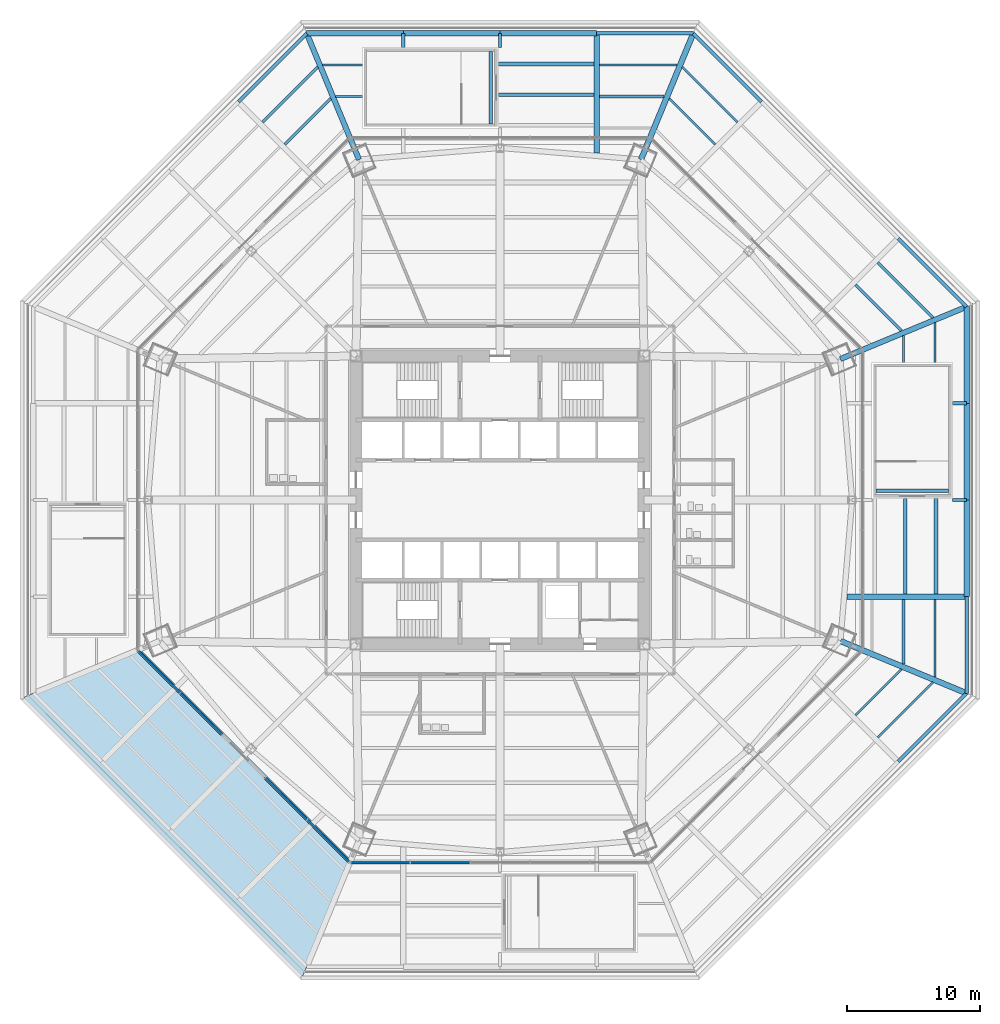
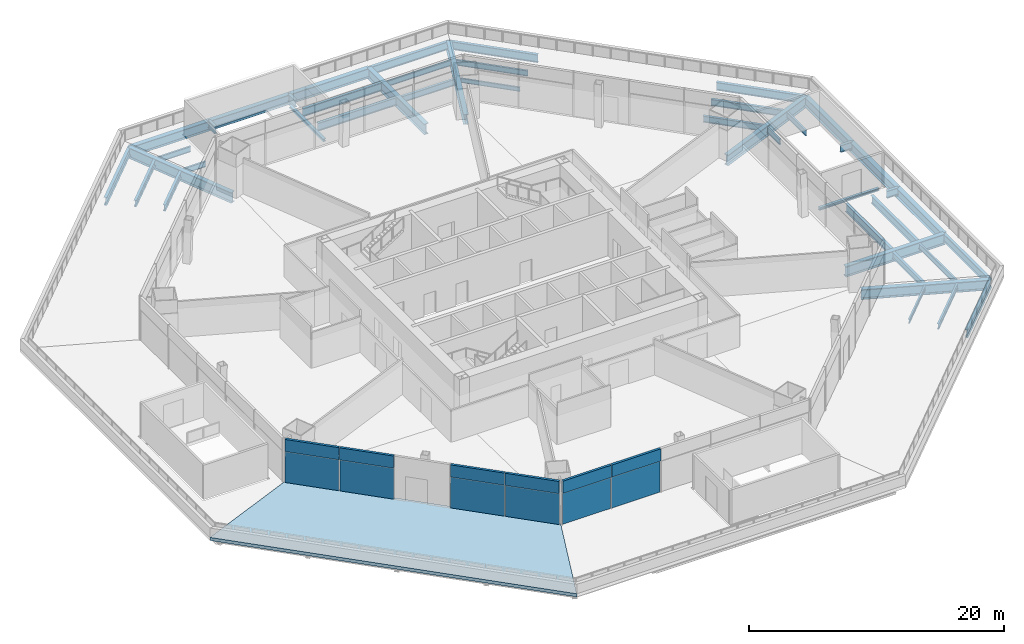
# One storey, part 12 of 25: 40 beams, 12 plates, 4 members, 1 slab, 3 elements without a shape of their own.
"""IFC4 building model written with IfcOpenShell, lengths in metres."""

from ifc_helpers import new_model, si_unit, direction, frame, origin, origin_2d, place, context, subcontext, project, spatial, polyline, rectangle, i_section, outline, extrude, source, transform, mapped, material, layer, layer_set, material_profile, profile_set, type_object, type_shapes, element, aggregate, save


model = new_model("IFC4")

# Units and contexts
model_context = context("Model", 3, precision=1e-05, world=origin(), true_north=direction((0.0, 1.0)))
body_context = subcontext(model_context, "Body", "Model", "MODEL_VIEW")
ifc_project = project(units=[si_unit("LENGTHUNIT", "METRE"), si_unit("AREAUNIT", "SQUARE_METRE"), si_unit("VOLUMEUNIT", "CUBIC_METRE"), si_unit("PLANEANGLEUNIT", "RADIAN"), si_unit("MASSUNIT", "GRAM", prefix="KILO")], contexts=[model_context])

# Site, building, storey
site_placement = place(None, origin())
site = spatial("IfcSite", under=ifc_project, at=site_placement, CompositionType="ELEMENT")
building_placement = place(site_placement, origin())
building = spatial("IfcBuilding", under=site, at=building_placement, Name="Mashrafa Tower", CompositionType="ELEMENT")
storey_placement = place(building_placement, frame((0.0, 0.0, 28.800048828125)))
storey = spatial("IfcBuildingStorey", under=building, at=storey_placement, Name="L05", CompositionType="ELEMENT", Elevation=28.800048828125)

# Beams
ifc_material_1 = material(Name="Steel ASTM A992", Category="steel")
ifc_material_profile_1 = material_profile(ifc_material_1, i_section(OverallWidth=0.140380859375, OverallDepth=0.40380859375, WebThickness=0.007080078125, FlangeThickness=0.01123046875, FilletRadius=0.01025390625, at=origin_2d()), Name="W16X31")
ifc_profile_set_1 = profile_set([ifc_material_profile_1], Name="Steel ASTM A992")
beam_type_1 = type_object("IfcBeamType", Name="Beam W16X31", PredefinedType="BEAM", material=ifc_profile_set_1)
for number, where, z_axis, x_axis, name in (
    (1, (12.698486328125, 30.102783203125, -0.501953125), (0.707106781187, -0.707106781187, 0.0), (0.707106781187, 0.707106781187, 0.0), "Floor beam L05 094"),
    (2, (30.102783203125, -12.698486328125, -0.501953125), (-0.707106781187, -0.707106781187, 0.0), (0.707106781187, -0.707106781187, 0.0), "Floor beam L05 137"),
):
    element("IfcBeam", number, at=place(storey_placement, frame(where, z_axis=z_axis, x_axis=x_axis)), inside=storey, type_object=beam_type_1, Name=name, PredefinedType="BEAM", context=body_context, shape_type="SweptSolid", body=[
        extrude(i_section(OverallWidth=0.140380859375, OverallDepth=0.40380859375, WebThickness=0.007080078125, FlangeThickness=0.01123046875, FilletRadius=0.01025390625, at=origin_2d()), origin(), (0.0, 0.0, 1.0), 4.857177734375),
    ])
ifc_material_2 = material(Name="Steel ASTM A992", Category="steel")
ifc_material_profile_2 = material_profile(ifc_material_2, i_section(OverallWidth=0.1650390625, OverallDepth=0.52587890625, WebThickness=0.0087890625, FlangeThickness=0.011474609375, FilletRadius=0.0126953125, at=origin_2d()), Name="W21X44")
ifc_profile_set_2 = profile_set([ifc_material_profile_2], Name="Steel ASTM A992")
beam_type_2 = type_object("IfcBeamType", Name="Beam W21X44", PredefinedType="BEAM", material=ifc_profile_set_2)
for number, where, z_axis, x_axis, name in (
    (3, (7.449462890625, 32.632568359375, -0.56298828125), (1.0, 0.0, 0.0), (0.0, 1.0, 0.0), "Floor beam L05 083"),
    (4, (13.67919921875, 32.47021484375, -0.56298828125), (0.707106781187, -0.707106781187, 0.0), (0.707106781187, 0.707106781187, 0.0), "Floor beam L05 100"),
    (5, (32.47021484375, -13.67919921875, -0.56298828125), (-0.707106781187, -0.707106781187, 0.0), (0.707106781187, -0.707106781187, 0.0), "Floor beam L05 141"),
    (6, (32.632568359375, -7.449462890625, -0.56298828125), (0.0, -1.0, 0.0), (1.0, 0.0, 0.0), "Floor beam L05 142"),
):
    element("IfcBeam", number, at=place(storey_placement, frame(where, z_axis=z_axis, x_axis=x_axis)), inside=storey, type_object=beam_type_2, Name=name, PredefinedType="BEAM", context=body_context, shape_type="SweptSolid", body=[
        extrude(i_section(OverallWidth=0.1650390625, OverallDepth=0.52587890625, WebThickness=0.0087890625, FlangeThickness=0.011474609375, FilletRadius=0.0126953125, at=origin_2d()), origin(), (0.0, 0.0, 1.0), 5.837890625),
    ])
ifc_material_3 = material(Name="Steel ASTM A992", Category="steel")
ifc_material_profile_3 = material_profile(ifc_material_3, i_section(OverallWidth=0.165771484375, OverallDepth=0.5283203125, WebThickness=0.009765625, FlangeThickness=0.013671875, FilletRadius=0.012939453125, at=origin_2d()), Name="W21X50")
ifc_profile_set_3 = profile_set([ifc_material_profile_3], Name="Steel ASTM A992")
beam_type_3 = type_object("IfcBeamType", Name="Beam W21X50", PredefinedType="BEAM", material=ifc_profile_set_3)
beam_1_placement = place(storey_placement, frame((-13.2998046875, 32.632568359375, -0.564208984375), z_axis=(1.0, 0.0, 0.0), x_axis=(0.0, 1.0, 0.0)))
element("IfcBeam", 7, at=beam_1_placement, inside=storey, type_object=beam_type_3, Name="Floor beam L05 046", PredefinedType="BEAM", context=body_context, shape_type="SweptSolid", body=[
    extrude(i_section(OverallWidth=0.165771484375, OverallDepth=0.5283203125, WebThickness=0.009765625, FlangeThickness=0.013671875, FilletRadius=0.012939453125, at=origin_2d()), origin(), (0.0, 0.0, 1.0), 2.999755859375),
])
for number, where, z_axis, x_axis, name in (
    (8, (-12.319091796875, 30.26513671875, -0.564208984375), (1.0, 0.0, 0.0), (0.0, 1.0, 0.0), "Floor beam L05 052"),
    (9, (30.26513671875, 12.319091796875, -0.564208984375), (0.0, -1.0, 0.0), (1.0, 0.0, 0.0), "Floor beam L05 139"),
):
    element("IfcBeam", number, at=place(storey_placement, frame(where, z_axis=z_axis, x_axis=x_axis)), inside=storey, type_object=beam_type_3, Name=name, PredefinedType="BEAM", context=body_context, shape_type="SweptSolid", body=[
        extrude(i_section(OverallWidth=0.165771484375, OverallDepth=0.5283203125, WebThickness=0.009765625, FlangeThickness=0.013671875, FilletRadius=0.012939453125, at=origin_2d()), origin(), (0.0, 0.0, 1.0), 2.01904296875),
    ])
beam_2_placement = place(storey_placement, frame((32.632568359375, 13.2998046875, -0.564208984375), z_axis=(0.0, -1.0, 0.0), x_axis=(1.0, 0.0, 0.0)))
element("IfcBeam", 10, at=beam_2_placement, inside=storey, type_object=beam_type_3, Name="Floor beam L05 143", PredefinedType="BEAM", context=body_context, shape_type="SweptSolid", body=[
    extrude(i_section(OverallWidth=0.165771484375, OverallDepth=0.5283203125, WebThickness=0.009765625, FlangeThickness=0.013671875, FilletRadius=0.012939453125, at=origin_2d()), origin(), (0.0, 0.0, 1.0), 2.999755859375),
])
ifc_material_4 = material(Name="Steel ASTM A992", Category="steel")
ifc_material_profile_4 = material_profile(ifc_material_4, i_section(OverallWidth=0.227783203125, OverallDepth=0.60205078125, WebThickness=0.010498046875, FlangeThickness=0.014892578125, FilletRadius=0.012939453125, at=origin_2d()), Name="W24X68")
ifc_profile_set_4 = profile_set([ifc_material_profile_4], Name="Steel ASTM A992")
beam_type_4 = type_object("IfcBeamType", Name="Beam W24X68", PredefinedType="BEAM", material=ifc_profile_set_4)
beam_3_placement = place(storey_placement, frame((-16.133056640625, 26.668212890625, -0.60107421875), z_axis=(0.707106781187, 0.707106781187, 0.0), x_axis=(-0.707106781187, 0.707106781187, 0.0)))
element("IfcBeam", 11, at=beam_3_placement, inside=storey, type_object=beam_type_4, Name="Floor beam L05 037", PredefinedType="BEAM", context=body_context, shape_type="SweptSolid", body=[
    extrude(i_section(OverallWidth=0.227783203125, OverallDepth=0.60205078125, WebThickness=0.010498046875, FlangeThickness=0.014892578125, FilletRadius=0.012939453125, at=origin_2d()), origin(), (0.0, 0.0, 1.0), 4.86962890625),
])
beam_4_placement = place(storey_placement, frame((7.449462890625, 30.26513671875, -0.60107421875), z_axis=(1.0, 0.0, 0.0), x_axis=(0.0, 1.0, 0.0)))
element("IfcBeam", 12, at=beam_4_placement, inside=storey, type_object=beam_type_4, Name="Floor beam L05 082", PredefinedType="BEAM", context=body_context, shape_type="SweptSolid", body=[
    extrude(i_section(OverallWidth=0.227783203125, OverallDepth=0.60205078125, WebThickness=0.010498046875, FlangeThickness=0.014892578125, FilletRadius=0.012939453125, at=origin_2d()), origin(), (0.0, 0.0, 1.0), 4.857177734375),
])
beam_5_placement = place(storey_placement, frame((26.668212890625, 16.133056640625, -0.60107421875), z_axis=(0.707106781187, -0.707106781187, 0.0), x_axis=(0.707106781187, 0.707106781187, 0.0)))
element("IfcBeam", 13, at=beam_5_placement, inside=storey, type_object=beam_type_4, Name="Floor beam L05 130", PredefinedType="BEAM", context=body_context, shape_type="SweptSolid", body=[
    extrude(i_section(OverallWidth=0.227783203125, OverallDepth=0.60205078125, WebThickness=0.010498046875, FlangeThickness=0.014892578125, FilletRadius=0.012939453125, at=origin_2d()), origin(), (0.0, 0.0, 1.0), 4.86962890625),
])
beam_6_placement = place(storey_placement, frame((30.26513671875, -7.449462890625, -0.60107421875), z_axis=(0.0, -1.0, 0.0), x_axis=(1.0, 0.0, 0.0)))
element("IfcBeam", 14, at=beam_6_placement, inside=storey, type_object=beam_type_4, Name="Floor beam L05 138", PredefinedType="BEAM", context=body_context, shape_type="SweptSolid", body=[
    extrude(i_section(OverallWidth=0.227783203125, OverallDepth=0.60205078125, WebThickness=0.010498046875, FlangeThickness=0.014892578125, FilletRadius=0.012939453125, at=origin_2d()), origin(), (0.0, 0.0, 1.0), 4.857177734375),
])
ifc_material_5 = material(Name="Steel ASTM A992", Category="steel")
ifc_material_profile_5 = material_profile(ifc_material_5, i_section(OverallWidth=0.22900390625, OverallDepth=0.612060546875, WebThickness=0.011962890625, FlangeThickness=0.01953125, FilletRadius=0.0126953125, at=origin_2d()), Name="W24X84")
ifc_profile_set_5 = profile_set([ifc_material_profile_5], Name="Steel ASTM A992")
beam_type_5 = type_object("IfcBeamType", Name="Beam W24X84", PredefinedType="BEAM", material=ifc_profile_set_5)
for number, where, z_axis, x_axis, name in (
    (15, (-17.80712890625, 28.34228515625, -0.606201171875), (0.707106781187, 0.707106781187, 0.0), (-0.707106781187, 0.707106781187, 0.0), "Floor beam L05 033"),
    (16, (28.34228515625, 17.80712890625, -0.606201171875), (0.707106781187, -0.707106781187, 0.0), (0.707106781187, 0.707106781187, 0.0), "Floor beam L05 135"),
):
    element("IfcBeam", number, at=place(storey_placement, frame(where, z_axis=z_axis, x_axis=x_axis)), inside=storey, type_object=beam_type_5, Name=name, PredefinedType="BEAM", context=body_context, shape_type="SweptSolid", body=[
        extrude(i_section(OverallWidth=0.22900390625, OverallDepth=0.612060546875, WebThickness=0.011962890625, FlangeThickness=0.01953125, FilletRadius=0.0126953125, at=origin_2d()), origin(), (0.0, 0.0, 1.0), 5.85009765625),
    ])
ifc_material_6 = material(Name="Steel ASTM A992", Category="steel")
ifc_material_profile_6 = material_profile(ifc_material_6, i_section(OverallWidth=0.2666015625, OverallDepth=0.761962890625, WebThickness=0.014404296875, FlangeThickness=0.021484375, FilletRadius=0.0166015625, at=origin_2d()), Name="W30X116")
ifc_profile_set_6 = profile_set([ifc_material_profile_6], Name="Steel ASTM A992")
beam_type_6 = type_object("IfcBeamType", Name="Beam W30X116", PredefinedType="BEAM", material=ifc_profile_set_6)
beam_7_placement = place(storey_placement, frame((-14.49755859375, 35.0, -0.68115234375), z_axis=(-0.707106781187, -0.707106781187, 0.0), x_axis=(0.707106781187, -0.707106781187, 0.0)))
element("IfcBeam", 17, at=beam_7_placement, inside=storey, type_object=beam_type_6, Name="Podium edge beam L05 157", PredefinedType="BEAM", context=body_context, shape_type="SweptSolid", body=[
    extrude(i_section(OverallWidth=0.2666015625, OverallDepth=0.761962890625, WebThickness=0.014404296875, FlangeThickness=0.021484375, FilletRadius=0.0166015625, at=origin_2d()), origin(), (0.0, 0.0, 1.0), 7.24853515625),
])
beam_8_placement = place(storey_placement, frame((14.49755859375, 35.0, -0.68115234375), z_axis=(-1.0, 0.0, 0.0), x_axis=(0.0, -1.0, 0.0)))
element("IfcBeam", 18, at=beam_8_placement, inside=storey, type_object=beam_type_6, Name="Podium edge beam L05 165", PredefinedType="BEAM", context=body_context, shape_type="SweptSolid", body=[
    extrude(i_section(OverallWidth=0.2666015625, OverallDepth=0.761962890625, WebThickness=0.014404296875, FlangeThickness=0.021484375, FilletRadius=0.0166015625, at=origin_2d()), origin(), (0.0, 0.0, 1.0), 7.248779296875),
])
for number, where, z_axis, x_axis, name in (
    (19, (19.623046875, 29.87451171875, -0.68115234375), (-0.707106781187, 0.707106781187, 0.0), (-0.707106781187, -0.707106781187, 0.0), "Podium edge beam L05 167"),
    (20, (29.87451171875, -19.623046875, -0.68115234375), (0.707106781187, 0.707106781187, 0.0), (-0.707106781187, 0.707106781187, 0.0), "Podium edge beam L05 170"),
):
    element("IfcBeam", number, at=place(storey_placement, frame(where, z_axis=z_axis, x_axis=x_axis)), inside=storey, type_object=beam_type_6, Name=name, PredefinedType="BEAM", context=body_context, shape_type="SweptSolid", body=[
        extrude(i_section(OverallWidth=0.2666015625, OverallDepth=0.761962890625, WebThickness=0.014404296875, FlangeThickness=0.021484375, FilletRadius=0.0166015625, at=origin_2d()), origin(), (0.0, 0.0, 1.0), 7.24853515625),
    ])
beam_9_placement = place(storey_placement, frame((35.0, -14.49755859375, -0.68115234375), z_axis=(0.0, 1.0, 0.0), x_axis=(-1.0, 0.0, 0.0)))
element("IfcBeam", 21, at=beam_9_placement, inside=storey, type_object=beam_type_6, Name="Podium edge beam L05 172", PredefinedType="BEAM", context=body_context, shape_type="SweptSolid", body=[
    extrude(i_section(OverallWidth=0.2666015625, OverallDepth=0.761962890625, WebThickness=0.014404296875, FlangeThickness=0.021484375, FilletRadius=0.0166015625, at=origin_2d()), origin(), (0.0, 0.0, 1.0), 7.248779296875),
])
beam_10_placement = place(storey_placement, frame((35.0, 14.49755859375, -0.68115234375), z_axis=(-0.707106781187, 0.707106781187, 0.0), x_axis=(-0.707106781187, -0.707106781187, 0.0)))
element("IfcBeam", 22, at=beam_10_placement, inside=storey, type_object=beam_type_6, Name="Podium edge beam L05 176", PredefinedType="BEAM", context=body_context, shape_type="SweptSolid", body=[
    extrude(i_section(OverallWidth=0.2666015625, OverallDepth=0.761962890625, WebThickness=0.014404296875, FlangeThickness=0.021484375, FilletRadius=0.0166015625, at=origin_2d()), origin(), (0.0, 0.0, 1.0), 7.24853515625),
])
ifc_material_7 = material(Name="Steel ASTM A992", Category="steel")
ifc_material_profile_7 = material_profile(ifc_material_7, i_section(OverallWidth=0.2666015625, OverallDepth=0.75439453125, WebThickness=0.01318359375, FlangeThickness=0.01708984375, FilletRadius=0.0166015625, at=origin_2d()), Name="W30X99")
ifc_profile_set_7 = profile_set([ifc_material_profile_7], Name="Steel ASTM A992")
beam_type_7 = type_object("IfcBeamType", Name="Beam W30X99", PredefinedType="BEAM", material=ifc_profile_set_7)
for number, where, z_axis, x_axis, name in (
    (23, (-0.10009765625, 30.4033203125, -0.67724609375), (1.0, 0.0, 0.0), (0.0, 1.0, 0.0), "Floor beam L05 066"),
    (24, (-0.10009765625, 32.70166015625, -0.67724609375), (1.0, 0.0, 0.0), (0.0, 1.0, 0.0), "Floor beam L05 067"),
    (25, (30.4033203125, 0.10009765625, -0.67724609375), (0.0, -1.0, 0.0), (1.0, 0.0, 0.0), "Floor beam L05 140"),
    (26, (32.70166015625, 0.10009765625, -0.67724609375), (0.0, -1.0, 0.0), (1.0, 0.0, 0.0), "Floor beam L05 144"),
):
    element("IfcBeam", number, at=place(storey_placement, frame(where, z_axis=z_axis, x_axis=x_axis)), inside=storey, type_object=beam_type_7, Name=name, PredefinedType="BEAM", context=body_context, shape_type="SweptSolid", body=[
        extrude(i_section(OverallWidth=0.2666015625, OverallDepth=0.75439453125, WebThickness=0.01318359375, FlangeThickness=0.01708984375, FilletRadius=0.0166015625, at=origin_2d()), origin(), (0.0, 0.0, 1.0), 7.148193359375),
    ])
ifc_material_8 = material(Name="Steel ASTM A992", Category="steel")
ifc_material_profile_8 = material_profile(ifc_material_8, i_section(OverallWidth=0.419189453125, OverallDepth=0.927001953125, WebThickness=0.019287109375, FlangeThickness=0.031982421875, FilletRadius=0.020263671875, at=origin_2d()), Name="W36X231")
ifc_profile_set_8 = profile_set([ifc_material_profile_8], Name="Steel ASTM A992")
beam_type_8 = type_object("IfcBeamType", Name="Beam W36X231", PredefinedType="BEAM", material=ifc_profile_set_8)
for number, where, z_axis, x_axis, name in (
    (27, (-7.248779296875, 35.0, -0.763671875), (-1.0, 0.0, 0.0), (0.0, -1.0, 0.0), "Podium edge beam L05 159"),
    (28, (0.0, 35.0, -0.763671875), (-1.0, 0.0, 0.0), (0.0, -1.0, 0.0), "Podium edge beam L05 161"),
    (29, (7.248779296875, 35.0, -0.763671875), (-1.0, 0.0, 0.0), (0.0, -1.0, 0.0), "Podium edge beam L05 163"),
    (30, (35.0, -7.248779296875, -0.763671875), (0.0, 1.0, 0.0), (-1.0, 0.0, 0.0), "Podium edge beam L05 173"),
    (31, (35.0, 0.0, -0.763671875), (0.0, 1.0, 0.0), (-1.0, 0.0, 0.0), "Podium edge beam L05 174"),
    (32, (35.0, 7.248779296875, -0.763671875), (0.0, 1.0, 0.0), (-1.0, 0.0, 0.0), "Podium edge beam L05 175"),
):
    element("IfcBeam", number, at=place(storey_placement, frame(where, z_axis=z_axis, x_axis=x_axis)), inside=storey, type_object=beam_type_8, Name=name, PredefinedType="BEAM", context=body_context, shape_type="SweptSolid", body=[
        extrude(i_section(OverallWidth=0.419189453125, OverallDepth=0.927001953125, WebThickness=0.019287109375, FlangeThickness=0.031982421875, FilletRadius=0.020263671875, at=origin_2d()), origin(), (0.0, 0.0, 1.0), 7.248779296875),
    ])
ifc_material_9 = material(Name="Steel ASTM A992", Category="steel")
ifc_material_profile_9 = material_profile(ifc_material_9, i_section(OverallWidth=0.424072265625, OverallDepth=0.960205078125, WebThickness=0.028564453125, FlangeThickness=0.051025390625, FilletRadius=0.02001953125, at=origin_2d()), Name="W36X361")
ifc_profile_set_9 = profile_set([ifc_material_profile_9], Name="Steel ASTM A992")
beam_type_9 = type_object("IfcBeamType", Name="Beam W36X361", PredefinedType="BEAM", material=ifc_profile_set_9)
for number, where, z_axis, x_axis, name in (
    (33, (10.574951171875, 25.5302734375, -0.780029296875), (0.382693279242, 0.92387545374, 0.0), (-0.92387545374, 0.382693279242, 0.0), "Podium radial beam L05 203"),
    (34, (25.5302734375, -10.574951171875, -0.780029296875), (0.92387545374, -0.382693279242, 0.0), (0.382693279242, 0.92387545374, 0.0), "Podium radial beam L05 210"),
):
    element("IfcBeam", number, at=place(storey_placement, frame(where, z_axis=z_axis, x_axis=x_axis)), inside=storey, type_object=beam_type_9, Name=name, PredefinedType="BEAM", context=body_context, shape_type="SweptSolid", body=[
        extrude(i_section(OverallWidth=0.424072265625, OverallDepth=0.960205078125, WebThickness=0.028564453125, FlangeThickness=0.051025390625, FilletRadius=0.02001953125, at=origin_2d()), origin(), (0.0, 0.0, 1.0), 10.25),
    ])
ifc_material_10 = material(Name="Steel ASTM A992", Category="steel")
ifc_material_profile_10 = material_profile(ifc_material_10, i_section(OverallWidth=0.4013671875, OverallDepth=1.010986328125, WebThickness=0.023681640625, FlangeThickness=0.0419921875, FilletRadius=0.02001953125, at=origin_2d()), Name="W40X297")
ifc_profile_set_10 = profile_set([ifc_material_profile_10], Name="Steel ASTM A992")
beam_type_10 = type_object("IfcBeamType", Name="Beam W40X297", PredefinedType="BEAM", material=ifc_profile_set_10)
beam_11_placement = place(storey_placement, frame((-10.574951171875, 25.5302734375, -0.805419921875), z_axis=(-0.382693279242, 0.92387545374, 0.0), x_axis=(-0.92387545374, -0.382693279242, 0.0)))
element("IfcBeam", 35, at=beam_11_placement, inside=storey, type_object=beam_type_10, Name="Podium radial beam L05 191", PredefinedType="BEAM", context=body_context, shape_type="SweptSolid", body=[
    extrude(i_section(OverallWidth=0.4013671875, OverallDepth=1.010986328125, WebThickness=0.023681640625, FlangeThickness=0.0419921875, FilletRadius=0.02001953125, at=origin_2d()), origin(), (0.0, 0.0, 1.0), 10.25),
])
beam_12_placement = place(storey_placement, frame((7.248779296875, 26.0078125, -0.805419921875), z_axis=(0.0, 1.0, 0.0), x_axis=(-1.0, 0.0, 0.0)))
element("IfcBeam", 36, at=beam_12_placement, inside=storey, type_object=beam_type_10, Name="Podium radial beam L05 201", PredefinedType="BEAM", context=body_context, shape_type="SweptSolid", body=[
    extrude(i_section(OverallWidth=0.4013671875, OverallDepth=1.010986328125, WebThickness=0.023681640625, FlangeThickness=0.0419921875, FilletRadius=0.02001953125, at=origin_2d()), origin(), (0.0, 0.0, 1.0), 8.9921875),
])
beam_13_placement = place(storey_placement, frame((25.5302734375, 10.574951171875, -0.805419921875), z_axis=(0.92387545374, 0.382693279242, 0.0), x_axis=(-0.382693279242, 0.92387545374, 0.0)))
element("IfcBeam", 37, at=beam_13_placement, inside=storey, type_object=beam_type_10, Name="Podium radial beam L05 211", PredefinedType="BEAM", context=body_context, shape_type="SweptSolid", body=[
    extrude(i_section(OverallWidth=0.4013671875, OverallDepth=1.010986328125, WebThickness=0.023681640625, FlangeThickness=0.0419921875, FilletRadius=0.02001953125, at=origin_2d()), origin(), (0.0, 0.0, 1.0), 10.25),
])
beam_14_placement = place(storey_placement, frame((26.0078125, -7.248779296875, -0.805419921875), z_axis=(1.0, 0.0, 0.0), x_axis=(0.0, 1.0, 0.0)))
element("IfcBeam", 38, at=beam_14_placement, inside=storey, type_object=beam_type_10, Name="Podium radial beam L05 212", PredefinedType="BEAM", context=body_context, shape_type="SweptSolid", body=[
    extrude(i_section(OverallWidth=0.4013671875, OverallDepth=1.010986328125, WebThickness=0.023681640625, FlangeThickness=0.0419921875, FilletRadius=0.02001953125, at=origin_2d()), origin(), (0.0, 0.0, 1.0), 8.9921875),
])
ifc_material_11 = material(Name="Steel ASTM A992", Category="steel")
ifc_material_profile_11 = material_profile(ifc_material_11, i_section(OverallWidth=0.25390625, OverallDepth=0.25390625, WebThickness=0.008544921875, FlangeThickness=0.01416015625, FilletRadius=0.010009765625, at=origin_2d()), Name="W10X49")
ifc_profile_set_11 = profile_set([ifc_material_profile_11], Name="Steel ASTM A992")
beam_type_11 = type_object("IfcBeamType", Name="Hoistway beam W10X49", PredefinedType="BEAM", material=ifc_profile_set_11)
for number, where, z_axis, x_axis, name in (
    (39, (28.199951171875, 0.699951171875, -0.427001953125), (1.0, 0.0, 0.0), (0.0, 1.0, 0.0), "Stair P1 landing beam L05"),
    (40, (-0.699951171875, 28.199951171875, -0.427001953125), (0.0, 1.0, 0.0), (-1.0, 0.0, 0.0), "Stair P2 landing beam L05"),
):
    element("IfcBeam", number, at=place(storey_placement, frame(where, z_axis=z_axis, x_axis=x_axis)), inside=storey, type_object=beam_type_11, Name=name, PredefinedType="BEAM", context=body_context, shape_type="SweptSolid", body=[
        extrude(i_section(OverallWidth=0.25390625, OverallDepth=0.25390625, WebThickness=0.008544921875, FlangeThickness=0.01416015625, FilletRadius=0.010009765625, at=origin_2d()), origin(), (0.0, 0.0, 1.0), 5.449951171875),
    ])

# Members
ifc_material_12 = material(Name="Steel ASTM A992", Category="steel")
ifc_material_profile_12 = material_profile(ifc_material_12, i_section(OverallWidth=0.25390625, OverallDepth=0.683349609375, WebThickness=0.012451171875, FlangeThickness=0.01904296875, FilletRadius=0.01513671875, at=origin_2d()), Name="W27X94")
ifc_profile_set_12 = profile_set([ifc_material_profile_12], Name="Steel ASTM A992")
member_type = type_object("IfcMemberType", Name="Tie strut W27X94", PredefinedType="STRUT", material=ifc_profile_set_12)
shared_shape_1 = source(origin(), body_context, "Body", "SweptSolid", [
    extrude(i_section(OverallWidth=0.25390625, OverallDepth=0.683349609375, WebThickness=0.012451171875, FlangeThickness=0.01904296875, FilletRadius=0.01513671875, at=origin_2d()), origin(), (0.0, 0.0, 1.0), 1.050048828125),
])
type_shapes(member_type, [shared_shape_1])
for number, where, z_axis, x_axis, name in (
    (41, (-7.248779296875, 33.949951171875, -0.6416015625), (0.0, 1.0, 0.0), (-1.0, 0.0, 0.0), "Tie strut L05 194"),
    (42, (0.0, 33.949951171875, -0.6416015625), (0.0, 1.0, 0.0), (-1.0, 0.0, 0.0), "Tie strut L05 198"),
    (43, (33.949951171875, 0.0, -0.6416015625), (1.0, 0.0, 0.0), (0.0, 1.0, 0.0), "Tie strut L05 215"),
    (44, (33.949951171875, 7.248779296875, -0.6416015625), (1.0, 0.0, 0.0), (0.0, 1.0, 0.0), "Tie strut L05 216"),
):
    element("IfcMember", number, at=place(storey_placement, frame(where, z_axis=z_axis, x_axis=x_axis)), inside=storey, type_object=member_type, Name=name, PredefinedType="STRUT", context=body_context, shape_type="MappedRepresentation", body=[
        mapped(shared_shape_1, transform((0.0, 0.0, 0.0))),
    ])

# Slab
ifc_material_13 = material(Name="Concrete C35/45", Category="concrete")
ifc_layer_1 = layer(ifc_material_13, 0.300048828125)
ifc_layer_set_1 = layer_set([ifc_layer_1], Name="Roof garden slab 300")
slab_type = type_object("IfcSlabType", Name="Roof garden slab 300", PredefinedType="ROOF", material=ifc_layer_set_1)
slab_placement = place(storey_placement, frame((0.0, 0.0, -0.300048828125)))
element("IfcSlab", 45, at=slab_placement, inside=storey, type_object=slab_type, Name="Podium roof garden slab south-west", PredefinedType="ROOF", context=body_context, shape_type="SweptSolid", body=[
    extrude(outline(polyline([(-36.0, -14.91162109375), (-27.0, -11.183837890625), (-11.183837890625, -27.0), (-14.91162109375, -36.0), (-36.0, -14.91162109375)])), origin(), (0.0, 0.0, 1.0), 0.300048828125),
])

# Curtain wall, plates
ifc_material_14 = material(Name="Unitised aluminium curtain wall", Category="aluminium")
curtain_wall_type = type_object("IfcCurtainWallType", Name="Office curtain wall, zone 1 CW-A 200 deep", PredefinedType="NOTDEFINED", material=ifc_material_14)
curtain_wall_1_placement = place(storey_placement, origin())
curtain_wall_1 = element("IfcCurtainWall", 46, at=curtain_wall_1_placement, inside=storey, type_object=curtain_wall_type, Name="Office curtain wall, zone 1 L05 south-west part 1", PredefinedType="NOTDEFINED")
ifc_material_15 = material(Name="Insulated double glazing, low-e, neutral", Category="glass")
ifc_layer_2 = layer(ifc_material_15, 0.028076171875)
ifc_layer_set_2 = layer_set([ifc_layer_2], Name="Vision panel CW-A 28")
plate_type_1 = type_object("IfcPlateType", Name="Vision panel CW-A 28", PredefinedType="CURTAIN_PANEL", material=ifc_layer_set_2)
shared_shape_2 = source(origin(), body_context, "Body", "SweptSolid", [
    extrude(rectangle(XDim=4.388671875, YDim=0.028076171875, at=origin_2d()), origin(), (0.0, 0.0, 1.0), 2.9599609375),
])
plate_1_placement = place(storey_placement, frame((-25.566162109375, -12.900634765625, 0.0), z_axis=(0.0, 0.0, 1.0), x_axis=(0.707106781187, -0.707106781187, 0.0)))
plate_1 = element("IfcPlate", 47, at=plate_1_placement, type_object=plate_type_1, Name="CW-A vision panel 1", PredefinedType="CURTAIN_PANEL", context=body_context, shape_type="MappedRepresentation", body=[
    mapped(shared_shape_2, transform((0.0, 0.0, 0.0))),
])
plate_2_placement = place(storey_placement, frame((-22.4169921875, -16.049560546875, 0.0), z_axis=(0.0, 0.0, 1.0), x_axis=(0.707106781187, -0.707106781187, 0.0)))
plate_2 = element("IfcPlate", 48, at=plate_2_placement, type_object=plate_type_1, Name="CW-A vision panel 2", PredefinedType="CURTAIN_PANEL", context=body_context, shape_type="MappedRepresentation", body=[
    mapped(shared_shape_2, transform((0.0, 0.0, 0.0))),
])

curtain_wall_2_placement = place(storey_placement, origin())
curtain_wall_2 = element("IfcCurtainWall", 49, at=curtain_wall_2_placement, inside=storey, type_object=curtain_wall_type, Name="Office curtain wall, zone 1 L05 south-west part 2", PredefinedType="NOTDEFINED")
plate_3_placement = place(storey_placement, frame((-16.049560546875, -22.4169921875, 0.0), z_axis=(0.0, 0.0, 1.0), x_axis=(0.707106781187, -0.707106781187, 0.0)))
plate_3 = element("IfcPlate", 50, at=plate_3_placement, type_object=plate_type_1, Name="CW-A vision panel 1", PredefinedType="CURTAIN_PANEL", context=body_context, shape_type="MappedRepresentation", body=[
    mapped(shared_shape_2, transform((0.0, 0.0, 0.0))),
])
plate_4_placement = place(storey_placement, frame((-12.900634765625, -25.566162109375, 0.0), z_axis=(0.0, 0.0, 1.0), x_axis=(0.707106781187, -0.707106781187, 0.0)))
plate_4 = element("IfcPlate", 51, at=plate_4_placement, type_object=plate_type_1, Name="CW-A vision panel 2", PredefinedType="CURTAIN_PANEL", context=body_context, shape_type="MappedRepresentation", body=[
    mapped(shared_shape_2, transform((0.0, 0.0, 0.0))),
])

# Curtain wall, plate
curtain_wall_3_placement = place(storey_placement, origin())
curtain_wall_3 = element("IfcCurtainWall", 52, at=curtain_wall_3_placement, inside=storey, type_object=curtain_wall_type, Name="Office curtain wall, zone 1 L05 south", PredefinedType="NOTDEFINED")
plate_5_placement = place(storey_placement, frame((-8.955810546875, -27.199951171875, 0.0), z_axis=(0.0, 0.0, 1.0), x_axis=(1.0, 0.0, 0.0)))
plate_5 = element("IfcPlate", 53, at=plate_5_placement, type_object=plate_type_1, Name="CW-A vision panel 1", PredefinedType="CURTAIN_PANEL", context=body_context, shape_type="MappedRepresentation", body=[
    mapped(shared_shape_2, transform((0.0, 0.0, 0.0))),
])

# Plate
ifc_material_16 = material(Name="Insulated aluminium spandrel panel", Category="aluminium")
ifc_layer_3 = layer(ifc_material_16, 0.219970703125)
ifc_layer_set_3 = layer_set([ifc_layer_3], Name="Spandrel panel CW-A 220")
plate_type_2 = type_object("IfcPlateType", Name="Spandrel panel CW-A 220", PredefinedType="CURTAIN_PANEL", material=ifc_layer_set_3)
shared_shape_3 = source(origin(), body_context, "Body", "SweptSolid", [
    extrude(rectangle(XDim=4.388671875, YDim=0.219970703125, at=origin_2d()), origin(), (0.0, 0.0, 1.0), 1.159912109375),
])
plate_6_placement = place(storey_placement, frame((-25.566162109375, -12.900634765625, 3.0400390625), z_axis=(0.0, 0.0, 1.0), x_axis=(0.707106781187, -0.707106781187, 0.0)))
plate_6 = element("IfcPlate", 54, at=plate_6_placement, type_object=plate_type_2, Name="CW-A spandrel panel 1", PredefinedType="CURTAIN_PANEL", context=body_context, shape_type="MappedRepresentation", body=[
    mapped(shared_shape_3, transform((0.0, 0.0, 0.0))),
])

plate_7_placement = place(storey_placement, frame((-22.4169921875, -16.049560546875, 3.0400390625), z_axis=(0.0, 0.0, 1.0), x_axis=(0.707106781187, -0.707106781187, 0.0)))
plate_7 = element("IfcPlate", 55, at=plate_7_placement, type_object=plate_type_2, Name="CW-A spandrel panel 2", PredefinedType="CURTAIN_PANEL", context=body_context, shape_type="MappedRepresentation", body=[
    mapped(shared_shape_3, transform((0.0, 0.0, 0.0))),
])

aggregate(curtain_wall_1, [plate_1, plate_6, plate_2, plate_7])

plate_8_placement = place(storey_placement, frame((-16.049560546875, -22.4169921875, 3.0400390625), z_axis=(0.0, 0.0, 1.0), x_axis=(0.707106781187, -0.707106781187, 0.0)))
plate_8 = element("IfcPlate", 56, at=plate_8_placement, type_object=plate_type_2, Name="CW-A spandrel panel 1", PredefinedType="CURTAIN_PANEL", context=body_context, shape_type="MappedRepresentation", body=[
    mapped(shared_shape_3, transform((0.0, 0.0, 0.0))),
])

plate_9_placement = place(storey_placement, frame((-12.900634765625, -25.566162109375, 3.0400390625), z_axis=(0.0, 0.0, 1.0), x_axis=(0.707106781187, -0.707106781187, 0.0)))
plate_9 = element("IfcPlate", 57, at=plate_9_placement, type_object=plate_type_2, Name="CW-A spandrel panel 2", PredefinedType="CURTAIN_PANEL", context=body_context, shape_type="MappedRepresentation", body=[
    mapped(shared_shape_3, transform((0.0, 0.0, 0.0))),
])

aggregate(curtain_wall_2, [plate_3, plate_8, plate_4, plate_9])

plate_10_placement = place(storey_placement, frame((-8.955810546875, -27.199951171875, 3.0400390625), z_axis=(0.0, 0.0, 1.0), x_axis=(1.0, 0.0, 0.0)))
plate_10 = element("IfcPlate", 58, at=plate_10_placement, type_object=plate_type_2, Name="CW-A spandrel panel 1", PredefinedType="CURTAIN_PANEL", context=body_context, shape_type="MappedRepresentation", body=[
    mapped(shared_shape_3, transform((0.0, 0.0, 0.0))),
])

shared_shape_4 = source(origin(), body_context, "Body", "SweptSolid", [
    extrude(rectangle(XDim=4.421142578125, YDim=0.028076171875, at=origin_2d()), origin(), (0.0, 0.0, 1.0), 2.9599609375),
])
type_shapes(plate_type_1, [shared_shape_2, shared_shape_4])
plate_11_placement = place(storey_placement, frame((-4.486083984375, -27.199951171875, 0.0), z_axis=(0.0, 0.0, 1.0), x_axis=(1.0, 0.0, 0.0)))
plate_11 = element("IfcPlate", 59, at=plate_11_placement, type_object=plate_type_1, Name="CW-A vision panel 2", PredefinedType="CURTAIN_PANEL", context=body_context, shape_type="MappedRepresentation", body=[
    mapped(shared_shape_4, transform((0.0, 0.0, 0.0))),
])

shared_shape_5 = source(origin(), body_context, "Body", "SweptSolid", [
    extrude(rectangle(XDim=4.421142578125, YDim=0.219970703125, at=origin_2d()), origin(), (0.0, 0.0, 1.0), 1.159912109375),
])
type_shapes(plate_type_2, [shared_shape_3, shared_shape_5])
plate_12_placement = place(storey_placement, frame((-4.486083984375, -27.199951171875, 3.0400390625), z_axis=(0.0, 0.0, 1.0), x_axis=(1.0, 0.0, 0.0)))
plate_12 = element("IfcPlate", 60, at=plate_12_placement, type_object=plate_type_2, Name="CW-A spandrel panel 2", PredefinedType="CURTAIN_PANEL", context=body_context, shape_type="MappedRepresentation", body=[
    mapped(shared_shape_5, transform((0.0, 0.0, 0.0))),
])

aggregate(curtain_wall_3, [plate_5, plate_10, plate_11, plate_12])

save(model, "model.ifc")
